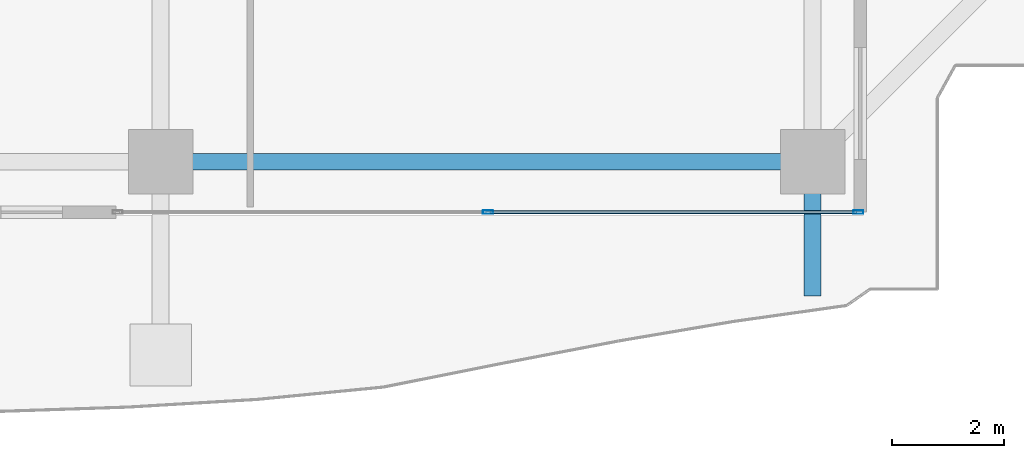
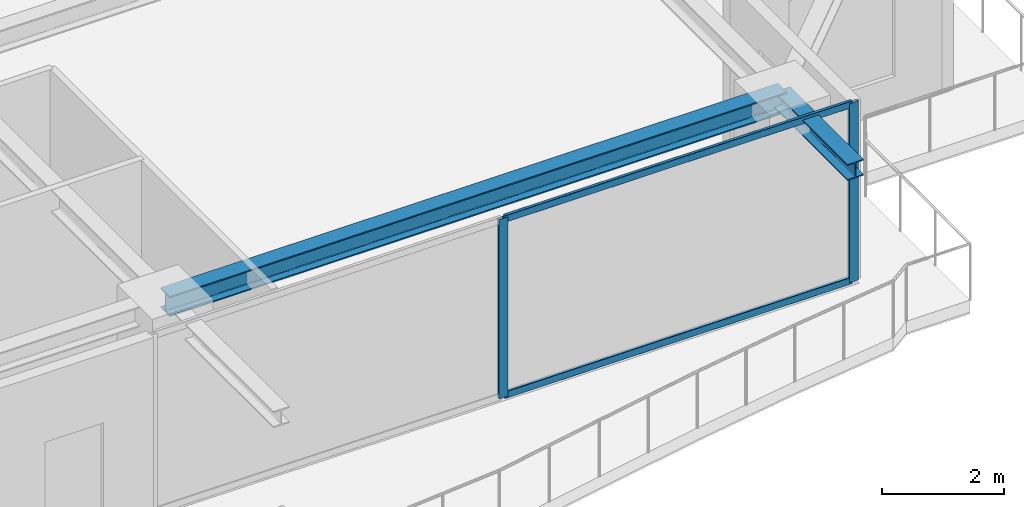
# One storey, part 12 of 36: 4 members, 2 beams, 1 element without a shape of its own.
"""IFC4 building model written with IfcOpenShell, lengths in metres."""

from ifc_helpers import new_model, si_unit, direction, frame, origin, origin_2d, place, context, subcontext, project, spatial, hollow_rectangle, i_section, extrude, source, transform, mapped, material, layer, layer_set, material_profile, profile_set, type_object, element, aggregate, save


model = new_model("IFC4")

# Units and contexts
model_context = context("Model", 3, precision=1e-05, world=origin(), true_north=direction((0.0, 1.0)))
body_context = subcontext(model_context, "Body", "Model", "MODEL_VIEW")
ifc_project = project(units=[si_unit("LENGTHUNIT", "METRE"), si_unit("AREAUNIT", "SQUARE_METRE"), si_unit("VOLUMEUNIT", "CUBIC_METRE"), si_unit("PLANEANGLEUNIT", "RADIAN"), si_unit("MASSUNIT", "GRAM", prefix="KILO")], contexts=[model_context])

# Site, building, storey
site_placement = place(None, origin())
site = spatial("IfcSite", under=ifc_project, at=site_placement, CompositionType="ELEMENT")
building_placement = place(site_placement, origin())
building = spatial("IfcBuilding", under=site, at=building_placement, Name="Serunith Strait Residences", CompositionType="ELEMENT")
storey_placement = place(building_placement, frame((0.0, 0.0, 272.050048828125)))
storey = spatial("IfcBuildingStorey", under=building, at=storey_placement, Name="L68", CompositionType="ELEMENT", Elevation=272.050048828125)

# Beams
ifc_material_1 = material(Name="Steel S355J2", Category="steel")
ifc_material_profile_1 = material_profile(ifc_material_1, i_section(OverallWidth=0.300048828125, OverallDepth=0.39990234375, WebThickness=0.013427734375, FlangeThickness=0.02392578125, FilletRadius=0.027099609375, at=origin_2d()), Name="HEB 400")
ifc_profile_set_1 = profile_set([ifc_material_profile_1], Name="Steel S355J2")
beam_type_1 = type_object("IfcBeamType", Name="BM-HEB400", PredefinedType="BEAM", material=ifc_profile_set_1)
shared_shape_1 = source(origin(), body_context, "Body", "SweptSolid", [
    extrude(i_section(OverallWidth=0.300048828125, OverallDepth=0.39990234375, WebThickness=0.013427734375, FlangeThickness=0.02392578125, FilletRadius=0.027099609375, at=origin_2d()), origin(), (0.0, 0.0, 1.0), 11.650146484375),
])
beam_1_placement = place(storey_placement, frame((36.89990234375, 2.10009765625, 3.386962890625), z_axis=(1.0, 0.0, 0.0), x_axis=(0.0, 1.0, 0.0)))
element("IfcBeam", 1, at=beam_1_placement, inside=storey, type_object=beam_type_1, Name="L68 Perimeter Ring Beam 03", PredefinedType="BEAM", context=body_context, shape_type="MappedRepresentation", body=[
    mapped(shared_shape_1, transform((0.0, 0.0, 0.0), scale=1.0)),
])
ifc_material_profile_2 = material_profile(ifc_material_1, i_section(OverallWidth=0.300048828125, OverallDepth=0.320068359375, WebThickness=0.011474609375, FlangeThickness=0.0205078125, FilletRadius=0.027099609375, at=origin_2d()), Name="HEB 320")
ifc_profile_set_2 = profile_set([ifc_material_profile_2], Name="Steel S355J2")
beam_type_2 = type_object("IfcBeamType", Name="BM-HEB320", PredefinedType="BEAM", material=ifc_profile_set_2)
shared_shape_2 = source(origin(), body_context, "Body", "SweptSolid", [
    extrude(i_section(OverallWidth=0.300048828125, OverallDepth=0.320068359375, WebThickness=0.011474609375, FlangeThickness=0.0205078125, FilletRadius=0.027099609375, at=origin_2d()), origin(), (0.0, 0.0, 1.0), 2.393798828125),
])
beam_2_placement = place(storey_placement, frame((48.550048828125, 2.10009765625, 3.39697265625), z_axis=(0.0, -1.0, 0.0), x_axis=(1.0, 0.0, 0.0)))
element("IfcBeam", 2, at=beam_2_placement, inside=storey, type_object=beam_type_2, Name="L69 Cantilevered Balcony Rib TC-S4", PredefinedType="BEAM", context=body_context, shape_type="MappedRepresentation", body=[
    mapped(shared_shape_2, transform((0.0, 0.0, 0.0), scale=1.0)),
])

# Curtain wall, members
ifc_material_2 = material(Name="Pale-Champagne Anodised Aluminium", Category="aluminium")
ifc_layer = layer(ifc_material_2, 0.199951171875, Name="Pale-Champagne Anodised Aluminium")
ifc_layer_set = layer_set([ifc_layer], Name="Pale-Champagne Anodised Aluminium")
curtain_wall_type = type_object("IfcCurtainWallType", Name="CW-SYS4", PredefinedType="NOTDEFINED", material=ifc_layer_set)
curtain_wall_placement = place(storey_placement, origin())
curtain_wall = element("IfcCurtainWall", 3, at=curtain_wall_placement, inside=storey, type_object=curtain_wall_type, Name="L68 S Unitised Fritted Curtain Wall", PredefinedType="NOTDEFINED")
ifc_material_profile_3 = material_profile(ifc_material_2, hollow_rectangle(XDim=0.06494140625, YDim=0.179931640625, WallThickness=0.00341796875, InnerFilletRadius=0.00537109375, OuterFilletRadius=0.0087890625, at=origin_2d()), Name="ALU 180x65x3.5")
ifc_profile_set_3 = profile_set([ifc_material_profile_3], Name="Pale-Champagne Anodised Aluminium")
member_type_1 = type_object("IfcMemberType", Name="CW-SYS4-MULL", PredefinedType="MULLION", material=ifc_profile_set_3)
shared_shape_3 = source(origin(), body_context, "Body", "SweptSolid", [
    extrude(hollow_rectangle(XDim=0.06494140625, YDim=0.179931640625, WallThickness=0.00341796875, InnerFilletRadius=0.00537109375, OuterFilletRadius=0.0087890625, at=origin_2d()), origin(), (0.0, 0.0, 1.0), 3.574951171875),
])
member_1_placement = place(storey_placement, frame((42.75, 1.199951171875, 0.0), z_axis=(0.0, 0.0, 1.0), x_axis=(0.0, 1.0, 0.0)))
member_1 = element("IfcMember", 4, at=member_1_placement, type_object=member_type_1, Name="CW-4 mullion 2", PredefinedType="MULLION", context=body_context, shape_type="MappedRepresentation", body=[
    mapped(shared_shape_3, transform((0.0, 0.0, 0.0), scale=1.0)),
])
member_2_placement = place(storey_placement, frame((49.367431640625, 1.199951171875, 0.0), z_axis=(0.0, 0.0, 1.0), x_axis=(0.0, 1.0, 0.0)))
member_2 = element("IfcMember", 5, at=member_2_placement, type_object=member_type_1, Name="CW-4 mullion 3", PredefinedType="MULLION", context=body_context, shape_type="MappedRepresentation", body=[
    mapped(shared_shape_3, transform((0.0, 0.0, 0.0), scale=1.0)),
])
ifc_material_profile_4 = material_profile(ifc_material_2, hollow_rectangle(XDim=0.06005859375, YDim=0.139892578125, WallThickness=0.00341796875, InnerFilletRadius=0.00537109375, OuterFilletRadius=0.0087890625, at=origin_2d()), Name="ALU 140x60x3.5")
ifc_profile_set_4 = profile_set([ifc_material_profile_4], Name="Pale-Champagne Anodised Aluminium")
member_type_2 = type_object("IfcMemberType", Name="CW-SYS4-TRAN", PredefinedType="USERDEFINED", material=ifc_profile_set_4)
shared_shape_4 = source(origin(), body_context, "Body", "SweptSolid", [
    extrude(hollow_rectangle(XDim=0.06005859375, YDim=0.139892578125, WallThickness=0.00341796875, InnerFilletRadius=0.00537109375, OuterFilletRadius=0.0087890625, at=origin_2d()), origin(), (0.0, 0.0, 1.0), 6.552490234375),
])
member_3_placement = place(storey_placement, frame((42.782470703125, 1.199951171875, 0.030029296875), z_axis=(1.0, 0.0, 0.0), x_axis=(0.0, 1.0, 0.0)))
member_3 = element("IfcMember", 6, at=member_3_placement, type_object=member_type_2, Name="CW-4 transom 2.1", ObjectType="TRANSOM", PredefinedType="USERDEFINED", context=body_context, shape_type="MappedRepresentation", body=[
    mapped(shared_shape_4, transform((0.0, 0.0, 0.0), scale=1.0)),
])
member_4_placement = place(storey_placement, frame((42.782470703125, 1.199951171875, 3.544921875), z_axis=(1.0, 0.0, 0.0), x_axis=(0.0, 1.0, 0.0)))
member_4 = element("IfcMember", 7, at=member_4_placement, type_object=member_type_2, Name="CW-4 transom 2.2", ObjectType="TRANSOM", PredefinedType="USERDEFINED", context=body_context, shape_type="MappedRepresentation", body=[
    mapped(shared_shape_4, transform((0.0, 0.0, 0.0), scale=1.0)),
])
aggregate(curtain_wall, [member_1, member_2, member_3, member_4])

save(model, "model.ifc")
